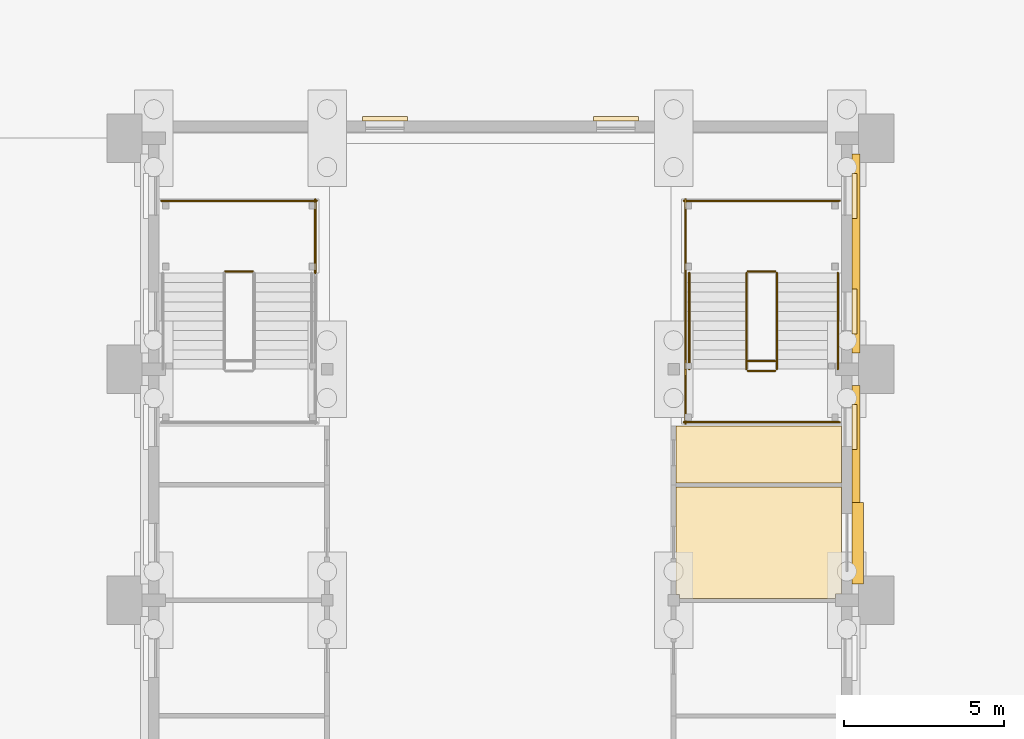
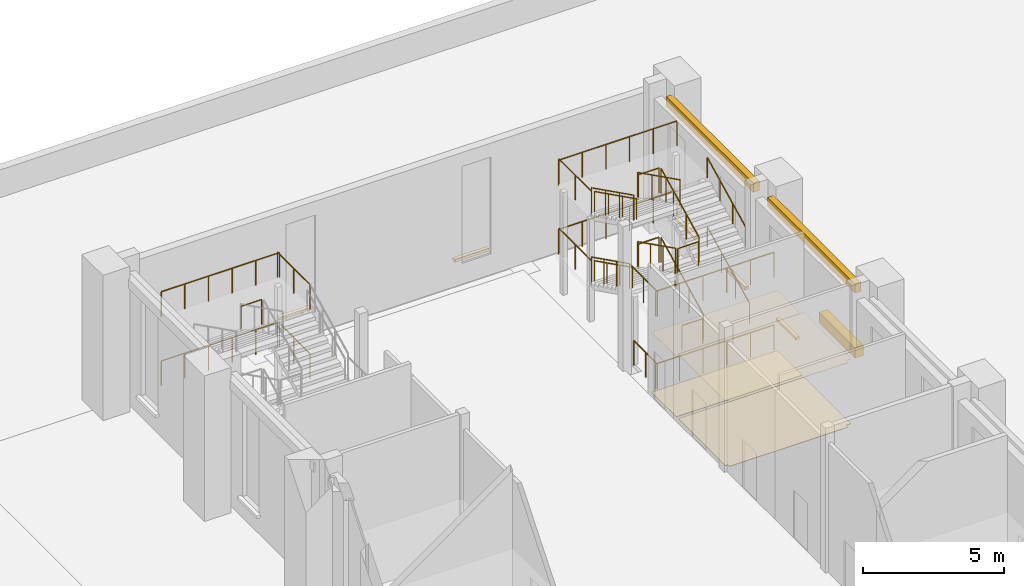
# One storey, part 72 of 84: 27 railings, 12 coverings.
"""IFC4 building model written with IfcOpenShell, lengths in metres."""

from ifc_helpers import new_model, si_unit, direction, frame, origin, origin_2d, place, context, subcontext, project, spatial, polyline, circle, outline, extrude, material, layer, layer_set, type_object, element, save


model = new_model("IFC4")

# Units and contexts
model_context = context("Model", 3, precision=1e-05, world=origin(), true_north=direction((0.0, 1.0)))
body_context = subcontext(model_context, "Body", "Model", "MODEL_VIEW")
ifc_project = project(units=[si_unit("LENGTHUNIT", "METRE"), si_unit("AREAUNIT", "SQUARE_METRE"), si_unit("VOLUMEUNIT", "CUBIC_METRE"), si_unit("PLANEANGLEUNIT", "RADIAN"), si_unit("MASSUNIT", "GRAM", prefix="KILO")], contexts=[model_context])

# Site, building, storey
site_placement = place(None, origin())
site = spatial("IfcSite", under=ifc_project, at=site_placement, CompositionType="ELEMENT")
building_placement = place(site_placement, origin())
building = spatial("IfcBuilding", under=site, at=building_placement, Name="Mazhai Court Health Centre", CompositionType="ELEMENT")
storey_placement = place(building_placement, origin())
storey = spatial("IfcBuildingStorey", under=building, at=storey_placement, Name="L00", CompositionType="ELEMENT", Elevation=0.0)

# Coverings
ifc_material_1 = material(Name="Clay brick masonry", Category="masonry")
ifc_layer_1 = layer(ifc_material_1, 0.25)
ifc_layer_set_1 = layer_set([ifc_layer_1], Name="BRICK BAND 250")
covering_type_1 = type_object("IfcCoveringType", Name="BRICK BAND 250", PredefinedType="MOLDING", material=ifc_layer_set_1)
covering_1_placement = place(storey_placement, frame((0.0, 0.0, 5.3701171875)))
element("IfcCovering", 1, at=covering_1_placement, inside=storey, type_object=covering_type_1, Name="EB-V1-L00-E4-0", PredefinedType="MOLDING", context=body_context, shape_type="SweptSolid", body=[
    extrude(outline(polyline([(63.965087890625, 48.89990234375), (63.965087890625, 42.699951171875), (64.215087890625, 42.699951171875), (64.215087890625, 48.89990234375), (63.965087890625, 48.89990234375)])), origin(), (0.0, 0.0, 1.0), 0.39990234375),
])
covering_2_placement = place(storey_placement, frame((0.0, 0.0, 5.3701171875)))
element("IfcCovering", 2, at=covering_2_placement, inside=storey, type_object=covering_type_1, Name="EB-V1-L00-E5-0", PredefinedType="MOLDING", context=body_context, shape_type="SweptSolid", body=[
    extrude(outline(polyline([(63.965087890625, 56.10009765625), (63.965087890625, 49.89990234375), (64.215087890625, 49.89990234375), (64.215087890625, 56.10009765625), (63.965087890625, 56.10009765625)])), origin(), (0.0, 0.0, 1.0), 0.39990234375),
])
ifc_material_2 = material(Name="Clay brick masonry", Category="masonry")
ifc_layer_2 = layer(ifc_material_2, 0.35009765625)
ifc_layer_set_2 = layer_set([ifc_layer_2], Name="BRICK PORTAL LINTEL 350")
covering_type_2 = type_object("IfcCoveringType", Name="BRICK PORTAL LINTEL 350", PredefinedType="MOLDING", material=ifc_layer_set_2)
covering_3_placement = place(storey_placement, frame((0.0, 0.0, 2.550048828125)))
element("IfcCovering", 3, at=covering_3_placement, inside=storey, type_object=covering_type_2, Name="EL-V1-L00-E4", PredefinedType="MOLDING", context=body_context, shape_type="SweptSolid", body=[
    extrude(outline(polyline([(63.965087890625, 45.25), (63.965087890625, 42.699951171875), (64.31494140625, 42.699951171875), (64.31494140625, 45.25), (63.965087890625, 45.25)])), origin(), (0.0, 0.0, 1.0), 0.449951171875),
])
ifc_material_3 = material(Name="Clay brick masonry", Category="masonry")
ifc_layer_3 = layer(ifc_material_3, 0.14990234375)
ifc_layer_set_3 = layer_set([ifc_layer_3], Name="BRICK SILL COURSE 150")
covering_type_3 = type_object("IfcCoveringType", Name="BRICK SILL COURSE 150", PredefinedType="MOLDING", material=ifc_layer_set_3)
covering_4_placement = place(storey_placement, frame((0.0, 0.0, 0.780029296875)))
element("IfcCovering", 4, at=covering_4_placement, inside=storey, type_object=covering_type_3, Name="ES-WN-V1-L00-E4b", PredefinedType="MOLDING", context=body_context, shape_type="SweptSolid", body=[
    extrude(outline(polyline([(63.965087890625, 48.300048828125), (63.965087890625, 46.89990234375), (64.114990234375, 46.89990234375), (64.114990234375, 48.300048828125), (63.965087890625, 48.300048828125)])), origin(), (0.0, 0.0, 1.0), 0.119873046875),
])
covering_5_placement = place(storey_placement, frame((0.0, 0.0, 0.780029296875)))
element("IfcCovering", 5, at=covering_5_placement, inside=storey, type_object=covering_type_3, Name="ES-WN-V1-L00-E5a", PredefinedType="MOLDING", context=body_context, shape_type="SweptSolid", body=[
    extrude(outline(polyline([(63.965087890625, 51.89990234375), (63.965087890625, 50.5), (64.114990234375, 50.5), (64.114990234375, 51.89990234375), (63.965087890625, 51.89990234375)])), origin(), (0.0, 0.0, 1.0), 0.119873046875),
])
covering_6_placement = place(storey_placement, frame((0.0, 0.0, 0.780029296875)))
element("IfcCovering", 6, at=covering_6_placement, inside=storey, type_object=covering_type_3, Name="ES-WN-V1-L00-E5b", PredefinedType="MOLDING", context=body_context, shape_type="SweptSolid", body=[
    extrude(outline(polyline([(63.965087890625, 55.5), (63.965087890625, 54.10009765625), (64.114990234375, 54.10009765625), (64.114990234375, 55.5), (63.965087890625, 55.5)])), origin(), (0.0, 0.0, 1.0), 0.119873046875),
])
covering_7_placement = place(storey_placement, frame((0.0, 0.0, 0.780029296875)))
element("IfcCovering", 7, at=covering_7_placement, inside=storey, type_object=covering_type_3, Name="ES-WN-V1-L00-N-3", PredefinedType="MOLDING", context=body_context, shape_type="SweptSolid", body=[
    extrude(outline(polyline([(48.699951171875, 57.1298828125), (50.10009765625, 57.1298828125), (50.10009765625, 57.280029296875), (48.699951171875, 57.280029296875), (48.699951171875, 57.1298828125)])), origin(), (0.0, 0.0, 1.0), 0.119873046875),
])
covering_8_placement = place(storey_placement, frame((0.0, 0.0, 0.780029296875)))
element("IfcCovering", 8, at=covering_8_placement, inside=storey, type_object=covering_type_3, Name="ES-WN-V1-L00-N3", PredefinedType="MOLDING", context=body_context, shape_type="SweptSolid", body=[
    extrude(outline(polyline([(55.89990234375, 57.1298828125), (57.300048828125, 57.1298828125), (57.300048828125, 57.280029296875), (55.89990234375, 57.280029296875), (55.89990234375, 57.1298828125)])), origin(), (0.0, 0.0, 1.0), 0.119873046875),
])
ifc_material_4 = material(Name="Gypsum plasterboard ceiling")
ifc_layer_4 = layer(ifc_material_4, 0.02001953125)
ifc_layer_set_4 = layer_set([ifc_layer_4], Name="CEILING GYPSUM BOARD 20")
covering_type_4 = type_object("IfcCoveringType", Name="CEILING GYPSUM BOARD 20", PredefinedType="CEILING", material=ifc_layer_set_4)
covering_9_placement = place(storey_placement, frame((0.0, 0.0, 2.800048828125)))
element("IfcCovering", 9, at=covering_9_placement, inside=storey, type_object=covering_type_4, Name="ceil-V1-L00-E-baby-care-room", PredefinedType="CEILING", context=body_context, shape_type="SweptSolid", body=[
    extrude(outline(polyline([(58.47509765625, 42.3798828125), (58.580078125, 42.3798828125), (58.580078125, 42.262451171875), (63.43994140625, 42.262451171875), (63.43994140625, 42.39990234375), (63.635009765625, 42.39990234375), (63.635009765625, 45.737548828125), (58.47509765625, 45.737548828125), (58.47509765625, 42.3798828125)])), origin(), (0.0, 0.0, 1.0), 0.02001953125),
])
covering_10_placement = place(storey_placement, frame((0.0, 0.0, 2.60009765625)))
element("IfcCovering", 10, at=covering_10_placement, inside=storey, type_object=covering_type_4, Name="ceil-V1-L00-E-wheelchair-store", PredefinedType="CEILING", context=body_context, shape_type="SweptSolid", body=[
    extrude(outline(polyline([(63.635009765625, 45.862548828125), (63.635009765625, 47.635009765625), (58.47509765625, 47.635009765625), (58.47509765625, 45.862548828125), (63.635009765625, 45.862548828125)])), origin(), (0.0, 0.0, 1.0), 0.02001953125),
])
ifc_material_5 = material(Name="Heavy duty vinyl flooring")
ifc_layer_5 = layer(ifc_material_5, 0.02001953125)
ifc_layer_set_5 = layer_set([ifc_layer_5], Name="FLOOR FINISH HEAVY DUTY VINYL FLOORING 20")
covering_type_5 = type_object("IfcCoveringType", Name="FLOOR FINISH HEAVY DUTY VINYL FLOORING 20", PredefinedType="FLOORING", material=ifc_layer_set_5)
covering_11_placement = place(storey_placement, origin())
element("IfcCovering", 11, at=covering_11_placement, inside=storey, type_object=covering_type_5, Name="floor-V1-L00-E-baby-care-room", PredefinedType="FLOORING", context=body_context, shape_type="SweptSolid", body=[
    extrude(outline(polyline([(58.47509765625, 42.3798828125), (58.580078125, 42.3798828125), (58.580078125, 42.262451171875), (63.43994140625, 42.262451171875), (63.43994140625, 42.39990234375), (63.635009765625, 42.39990234375), (63.635009765625, 45.737548828125), (58.47509765625, 45.737548828125), (58.47509765625, 42.3798828125)])), origin(), (0.0, 0.0, 1.0), 0.02001953125),
])
covering_12_placement = place(storey_placement, origin())
element("IfcCovering", 12, at=covering_12_placement, inside=storey, type_object=covering_type_5, Name="floor-V1-L00-E-wheelchair-store", PredefinedType="FLOORING", context=body_context, shape_type="SweptSolid", body=[
    extrude(outline(polyline([(63.635009765625, 45.862548828125), (63.635009765625, 47.635009765625), (58.47509765625, 47.635009765625), (58.47509765625, 45.862548828125), (63.635009765625, 45.862548828125)])), origin(), (0.0, 0.0, 1.0), 0.02001953125),
])

# Railings
ifc_material_6 = material(Name="Steel IS 2062 E250", Category="steel")
railing_type_1 = type_object("IfcRailingType", Name="STAIR GUARD 1100", PredefinedType="GUARDRAIL", material=ifc_material_6)
railing_1_placement = place(storey_placement, frame((47.232421875, 52.39990234375, 1.64990234375)))
element("IfcRailing", 13, at=railing_1_placement, inside=storey, type_object=railing_type_1, Name="L00 ST11 stair guard 4", PredefinedType="GUARDRAIL", context=body_context, shape_type="SweptSolid", body=[
    extrude(circle(Radius=0.02392578125, at=origin_2d()), frame((0.0, 0.0, 1.076171875), z_axis=(0.0, 1.0, 0.0), x_axis=(-1.0, 0.0, 0.0)), (0.0, 0.0, 1.0), 2.300048828125),
    extrude(circle(Radius=0.02099609375, at=origin_2d()), origin(), (0.0, 0.0, 1.0), 1.052001953125),
    extrude(circle(Radius=0.02099609375, at=origin_2d()), frame((0.0, 1.14990234375, 0.0)), (0.0, 0.0, 1.0), 1.052001953125),
    extrude(circle(Radius=0.02099609375, at=origin_2d()), frame((0.0, 2.300048828125, 0.0)), (0.0, 0.0, 1.0), 1.052001953125),
])
railing_2_placement = place(storey_placement, frame((47.282470703125, 54.64990234375, 1.64990234375)))
element("IfcRailing", 14, at=railing_2_placement, inside=storey, type_object=railing_type_1, Name="L00 ST11 stair guard 5", PredefinedType="GUARDRAIL", context=body_context, shape_type="SweptSolid", body=[
    extrude(circle(Radius=0.02392578125, at=origin_2d()), frame((0.0, 0.0, 1.076171875), z_axis=(-1.0, 0.0, 0.0), x_axis=(0.0, -1.0, 0.0)), (0.0, 0.0, 1.0), 4.849853515625),
    extrude(circle(Radius=0.02099609375, at=origin_2d()), origin(), (0.0, 0.0, 1.0), 1.052001953125),
    extrude(circle(Radius=0.02099609375, at=origin_2d()), frame((-0.969970703125, 0.0, 0.0)), (0.0, 0.0, 1.0), 1.052001953125),
    extrude(circle(Radius=0.02099609375, at=origin_2d()), frame((-1.93994140625, 0.0, 0.0)), (0.0, 0.0, 1.0), 1.052001953125),
    extrude(circle(Radius=0.02099609375, at=origin_2d()), frame((-2.909912109375, 0.0, 0.0)), (0.0, 0.0, 1.0), 1.052001953125),
    extrude(circle(Radius=0.02099609375, at=origin_2d()), frame((-3.8798828125, 0.0, 0.0)), (0.0, 0.0, 1.0), 1.052001953125),
    extrude(circle(Radius=0.02099609375, at=origin_2d()), frame((-4.849853515625, 0.0, 0.0)), (0.0, 0.0, 1.0), 1.052001953125),
])
railing_3_placement = place(storey_placement, frame((45.282470703125, 52.449951171875, 4.64990234375)))
element("IfcRailing", 15, at=railing_3_placement, inside=storey, type_object=railing_type_1, Name="L00 ST11 stair guard 12", PredefinedType="GUARDRAIL", context=body_context, shape_type="SweptSolid", body=[
    extrude(circle(Radius=0.02392578125, at=origin_2d()), frame((0.0, 0.0, 1.076171875), z_axis=(-1.0, 0.0, 0.0), x_axis=(0.0, -1.0, 0.0)), (0.0, 0.0, 1.0), 0.849853515625),
    extrude(circle(Radius=0.02099609375, at=origin_2d()), origin(), (0.0, 0.0, 1.0), 1.052001953125),
    extrude(circle(Radius=0.02099609375, at=origin_2d()), frame((-0.849853515625, 0.0, 0.0)), (0.0, 0.0, 1.0), 1.052001953125),
])
railing_4_placement = place(storey_placement, frame((47.232421875, 52.39990234375, 4.64990234375)))
element("IfcRailing", 16, at=railing_4_placement, inside=storey, type_object=railing_type_1, Name="L00 ST11 stair guard 13", PredefinedType="GUARDRAIL", context=body_context, shape_type="SweptSolid", body=[
    extrude(circle(Radius=0.02392578125, at=origin_2d()), frame((0.0, 0.0, 1.076171875), z_axis=(0.0, 1.0, 0.0), x_axis=(-1.0, 0.0, 0.0)), (0.0, 0.0, 1.0), 2.300048828125),
    extrude(circle(Radius=0.02099609375, at=origin_2d()), origin(), (0.0, 0.0, 1.0), 1.052001953125),
    extrude(circle(Radius=0.02099609375, at=origin_2d()), frame((0.0, 1.14990234375, 0.0)), (0.0, 0.0, 1.0), 1.052001953125),
    extrude(circle(Radius=0.02099609375, at=origin_2d()), frame((0.0, 2.300048828125, 0.0)), (0.0, 0.0, 1.0), 1.052001953125),
])
railing_5_placement = place(storey_placement, frame((47.282470703125, 54.64990234375, 4.64990234375)))
element("IfcRailing", 17, at=railing_5_placement, inside=storey, type_object=railing_type_1, Name="L00 ST11 stair guard 14", PredefinedType="GUARDRAIL", context=body_context, shape_type="SweptSolid", body=[
    extrude(circle(Radius=0.02392578125, at=origin_2d()), frame((0.0, 0.0, 1.076171875), z_axis=(-1.0, 0.0, 0.0), x_axis=(0.0, -1.0, 0.0)), (0.0, 0.0, 1.0), 4.849853515625),
    extrude(circle(Radius=0.02099609375, at=origin_2d()), origin(), (0.0, 0.0, 1.0), 1.052001953125),
    extrude(circle(Radius=0.02099609375, at=origin_2d()), frame((-0.969970703125, 0.0, 0.0)), (0.0, 0.0, 1.0), 1.052001953125),
    extrude(circle(Radius=0.02099609375, at=origin_2d()), frame((-1.93994140625, 0.0, 0.0)), (0.0, 0.0, 1.0), 1.052001953125),
    extrude(circle(Radius=0.02099609375, at=origin_2d()), frame((-2.909912109375, 0.0, 0.0)), (0.0, 0.0, 1.0), 1.052001953125),
    extrude(circle(Radius=0.02099609375, at=origin_2d()), frame((-3.8798828125, 0.0, 0.0)), (0.0, 0.0, 1.0), 1.052001953125),
    extrude(circle(Radius=0.02099609375, at=origin_2d()), frame((-4.849853515625, 0.0, 0.0)), (0.0, 0.0, 1.0), 1.052001953125),
])
railing_6_placement = place(storey_placement, frame((61.617431640625, 49.39990234375, 0.14990234375)))
element("IfcRailing", 18, at=railing_6_placement, inside=storey, type_object=railing_type_1, Name="L00 ST12 stair guard 1", PredefinedType="GUARDRAIL", context=body_context, shape_type="SweptSolid", body=[
    extrude(circle(Radius=0.02392578125, at=origin_2d()), frame((0.0, 0.0, 1.076171875), z_axis=(0.0, 0.894427191, 0.4472135955), x_axis=(-1.0, 0.0, 0.0)), (0.0, 0.0, 1.0), 3.35400390625),
    extrude(circle(Radius=0.02099609375, at=origin_2d()), origin(), (0.0, 0.0, 1.0), 1.052001953125),
    extrude(circle(Radius=0.02099609375, at=origin_2d()), frame((0.0, 1.0, 0.5)), (0.0, 0.0, 1.0), 1.052001953125),
    extrude(circle(Radius=0.02099609375, at=origin_2d()), frame((0.0, 2.0, 1.0)), (0.0, 0.0, 1.0), 1.052001953125),
    extrude(circle(Radius=0.02099609375, at=origin_2d()), frame((0.0, 3.0, 1.5)), (0.0, 0.0, 1.0), 1.052001953125),
])
railing_7_placement = place(storey_placement, frame((61.5673828125, 52.449951171875, 1.64990234375)))
element("IfcRailing", 19, at=railing_7_placement, inside=storey, type_object=railing_type_1, Name="L00 ST12 stair guard 2", PredefinedType="GUARDRAIL", context=body_context, shape_type="SweptSolid", body=[
    extrude(circle(Radius=0.02392578125, at=origin_2d()), frame((0.0, 0.0, 1.076171875), z_axis=(-1.0, 0.0, 0.0), x_axis=(0.0, -1.0, 0.0)), (0.0, 0.0, 1.0), 0.849853515625),
    extrude(circle(Radius=0.02099609375, at=origin_2d()), origin(), (0.0, 0.0, 1.0), 1.052001953125),
    extrude(circle(Radius=0.02099609375, at=origin_2d()), frame((-0.849853515625, 0.0, 0.0)), (0.0, 0.0, 1.0), 1.052001953125),
])
railing_8_placement = place(storey_placement, frame((58.767578125, 52.39990234375, 1.64990234375)))
element("IfcRailing", 20, at=railing_8_placement, inside=storey, type_object=railing_type_1, Name="L00 ST12 stair guard 3", PredefinedType="GUARDRAIL", context=body_context, shape_type="SweptSolid", body=[
    extrude(circle(Radius=0.02392578125, at=origin_2d()), frame((0.0, 0.0, 1.076171875), z_axis=(0.0, 1.0, 0.0), x_axis=(-1.0, 0.0, 0.0)), (0.0, 0.0, 1.0), 2.300048828125),
    extrude(circle(Radius=0.02099609375, at=origin_2d()), origin(), (0.0, 0.0, 1.0), 1.052001953125),
    extrude(circle(Radius=0.02099609375, at=origin_2d()), frame((0.0, 1.14990234375, 0.0)), (0.0, 0.0, 1.0), 1.052001953125),
    extrude(circle(Radius=0.02099609375, at=origin_2d()), frame((0.0, 2.300048828125, 0.0)), (0.0, 0.0, 1.0), 1.052001953125),
])
railing_9_placement = place(storey_placement, frame((63.5673828125, 54.64990234375, 1.64990234375)))
element("IfcRailing", 21, at=railing_9_placement, inside=storey, type_object=railing_type_1, Name="L00 ST12 stair guard 4", PredefinedType="GUARDRAIL", context=body_context, shape_type="SweptSolid", body=[
    extrude(circle(Radius=0.02392578125, at=origin_2d()), frame((0.0, 0.0, 1.076171875), z_axis=(-1.0, 0.0, 0.0), x_axis=(0.0, -1.0, 0.0)), (0.0, 0.0, 1.0), 4.849853515625),
    extrude(circle(Radius=0.02099609375, at=origin_2d()), origin(), (0.0, 0.0, 1.0), 1.052001953125),
    extrude(circle(Radius=0.02099609375, at=origin_2d()), frame((-0.969970703125, 0.0, 0.0)), (0.0, 0.0, 1.0), 1.052001953125),
    extrude(circle(Radius=0.02099609375, at=origin_2d()), frame((-1.93994140625, 0.0, 0.0)), (0.0, 0.0, 1.0), 1.052001953125),
    extrude(circle(Radius=0.02099609375, at=origin_2d()), frame((-2.909912109375, 0.0, 0.0)), (0.0, 0.0, 1.0), 1.052001953125),
    extrude(circle(Radius=0.02099609375, at=origin_2d()), frame((-3.8798828125, 0.0, 0.0)), (0.0, 0.0, 1.0), 1.052001953125),
    extrude(circle(Radius=0.02099609375, at=origin_2d()), frame((-4.849853515625, 0.0, 0.0)), (0.0, 0.0, 1.0), 1.052001953125),
])
for number, where, name in (
    (22, (58.767578125, 52.39990234375, 1.800048828125), "L00 ST12 stair guard 5"),
    (23, (60.66748046875, 52.39990234375, 1.800048828125), "L00 ST12 stair guard 6"),
):
    element("IfcRailing", number, at=place(storey_placement, frame(where)), inside=storey, type_object=railing_type_1, Name=name, PredefinedType="GUARDRAIL", context=body_context, shape_type="SweptSolid", body=[
        extrude(circle(Radius=0.02392578125, at=origin_2d()), frame((0.0, 0.0, 1.076171875), z_axis=(0.0, -0.89444336626, 0.447181243517), x_axis=(1.0, 0.0, 0.0)), (0.0, 0.0, 1.0), 3.0185546875),
        extrude(circle(Radius=0.02099609375, at=origin_2d()), origin(), (0.0, 0.0, 1.0), 1.052001953125),
        extrude(circle(Radius=0.02099609375, at=origin_2d()), frame((0.0, -0.89990234375, 0.449951171875)), (0.0, 0.0, 1.0), 1.052001953125),
        extrude(circle(Radius=0.02099609375, at=origin_2d()), frame((0.0, -1.800048828125, 0.89990234375)), (0.0, 0.0, 1.0), 1.052001953125),
        extrude(circle(Radius=0.02099609375, at=origin_2d()), frame((0.0, -2.699951171875, 1.349853515625)), (0.0, 0.0, 1.0), 1.052001953125),
    ])
railing_10_placement = place(storey_placement, frame((61.5673828125, 49.64990234375, 3.14990234375)))
element("IfcRailing", 24, at=railing_10_placement, inside=storey, type_object=railing_type_1, Name="L00 ST12 stair guard 7", PredefinedType="GUARDRAIL", context=body_context, shape_type="SweptSolid", body=[
    extrude(circle(Radius=0.02392578125, at=origin_2d()), frame((0.0, 0.0, 1.076171875), z_axis=(-1.0, 0.0, 0.0), x_axis=(0.0, -1.0, 0.0)), (0.0, 0.0, 1.0), 0.849853515625),
    extrude(circle(Radius=0.02099609375, at=origin_2d()), origin(), (0.0, 0.0, 1.0), 1.052001953125),
    extrude(circle(Radius=0.02099609375, at=origin_2d()), frame((-0.849853515625, 0.0, 0.0)), (0.0, 0.0, 1.0), 1.052001953125),
])
railing_11_placement = place(storey_placement, frame((58.767578125, 47.699951171875, 3.14990234375)))
element("IfcRailing", 25, at=railing_11_placement, inside=storey, type_object=railing_type_1, Name="L00 ST12 stair guard 8", PredefinedType="GUARDRAIL", context=body_context, shape_type="SweptSolid", body=[
    extrude(circle(Radius=0.02392578125, at=origin_2d()), frame((0.0, 0.0, 1.076171875), z_axis=(0.0, 1.0, 0.0), x_axis=(-1.0, 0.0, 0.0)), (0.0, 0.0, 1.0), 2.0),
    extrude(circle(Radius=0.02099609375, at=origin_2d()), origin(), (0.0, 0.0, 1.0), 1.052001953125),
    extrude(circle(Radius=0.02099609375, at=origin_2d()), frame((0.0, 1.0, 0.0)), (0.0, 0.0, 1.0), 1.052001953125),
    extrude(circle(Radius=0.02099609375, at=origin_2d()), frame((0.0, 2.0, 0.0)), (0.0, 0.0, 1.0), 1.052001953125),
])
railing_12_placement = place(storey_placement, frame((63.5673828125, 47.75, 3.14990234375)))
element("IfcRailing", 26, at=railing_12_placement, inside=storey, type_object=railing_type_1, Name="L00 ST12 stair guard 9", PredefinedType="GUARDRAIL", context=body_context, shape_type="SweptSolid", body=[
    extrude(circle(Radius=0.02392578125, at=origin_2d()), frame((0.0, 0.0, 1.076171875), z_axis=(-1.0, 0.0, 0.0), x_axis=(0.0, -1.0, 0.0)), (0.0, 0.0, 1.0), 4.849853515625),
    extrude(circle(Radius=0.02099609375, at=origin_2d()), origin(), (0.0, 0.0, 1.0), 1.052001953125),
    extrude(circle(Radius=0.02099609375, at=origin_2d()), frame((-0.969970703125, 0.0, 0.0)), (0.0, 0.0, 1.0), 1.052001953125),
    extrude(circle(Radius=0.02099609375, at=origin_2d()), frame((-1.93994140625, 0.0, 0.0)), (0.0, 0.0, 1.0), 1.052001953125),
    extrude(circle(Radius=0.02099609375, at=origin_2d()), frame((-2.909912109375, 0.0, 0.0)), (0.0, 0.0, 1.0), 1.052001953125),
    extrude(circle(Radius=0.02099609375, at=origin_2d()), frame((-3.8798828125, 0.0, 0.0)), (0.0, 0.0, 1.0), 1.052001953125),
    extrude(circle(Radius=0.02099609375, at=origin_2d()), frame((-4.849853515625, 0.0, 0.0)), (0.0, 0.0, 1.0), 1.052001953125),
])
railing_13_placement = place(storey_placement, frame((61.617431640625, 49.699951171875, 3.300048828125)))
element("IfcRailing", 27, at=railing_13_placement, inside=storey, type_object=railing_type_1, Name="L00 ST12 stair guard 10", PredefinedType="GUARDRAIL", context=body_context, shape_type="SweptSolid", body=[
    extrude(circle(Radius=0.02392578125, at=origin_2d()), frame((0.0, 0.0, 1.076171875), z_axis=(0.0, 0.89444336626, 0.447181243517), x_axis=(-1.0, 0.0, 0.0)), (0.0, 0.0, 1.0), 3.0185546875),
    extrude(circle(Radius=0.02099609375, at=origin_2d()), origin(), (0.0, 0.0, 1.0), 1.052001953125),
    extrude(circle(Radius=0.02099609375, at=origin_2d()), frame((0.0, 0.89990234375, 0.449951171875)), (0.0, 0.0, 1.0), 1.052001953125),
    extrude(circle(Radius=0.02099609375, at=origin_2d()), frame((0.0, 1.800048828125, 0.89990234375)), (0.0, 0.0, 1.0), 1.052001953125),
    extrude(circle(Radius=0.02099609375, at=origin_2d()), frame((0.0, 2.699951171875, 1.349853515625)), (0.0, 0.0, 1.0), 1.052001953125),
])
railing_14_placement = place(storey_placement, frame((61.5673828125, 52.449951171875, 4.64990234375)))
element("IfcRailing", 28, at=railing_14_placement, inside=storey, type_object=railing_type_1, Name="L00 ST12 stair guard 11", PredefinedType="GUARDRAIL", context=body_context, shape_type="SweptSolid", body=[
    extrude(circle(Radius=0.02392578125, at=origin_2d()), frame((0.0, 0.0, 1.076171875), z_axis=(-1.0, 0.0, 0.0), x_axis=(0.0, -1.0, 0.0)), (0.0, 0.0, 1.0), 0.849853515625),
    extrude(circle(Radius=0.02099609375, at=origin_2d()), origin(), (0.0, 0.0, 1.0), 1.052001953125),
    extrude(circle(Radius=0.02099609375, at=origin_2d()), frame((-0.849853515625, 0.0, 0.0)), (0.0, 0.0, 1.0), 1.052001953125),
])
railing_15_placement = place(storey_placement, frame((58.767578125, 52.39990234375, 4.64990234375)))
element("IfcRailing", 29, at=railing_15_placement, inside=storey, type_object=railing_type_1, Name="L00 ST12 stair guard 12", PredefinedType="GUARDRAIL", context=body_context, shape_type="SweptSolid", body=[
    extrude(circle(Radius=0.02392578125, at=origin_2d()), frame((0.0, 0.0, 1.076171875), z_axis=(0.0, 1.0, 0.0), x_axis=(-1.0, 0.0, 0.0)), (0.0, 0.0, 1.0), 2.300048828125),
    extrude(circle(Radius=0.02099609375, at=origin_2d()), origin(), (0.0, 0.0, 1.0), 1.052001953125),
    extrude(circle(Radius=0.02099609375, at=origin_2d()), frame((0.0, 1.14990234375, 0.0)), (0.0, 0.0, 1.0), 1.052001953125),
    extrude(circle(Radius=0.02099609375, at=origin_2d()), frame((0.0, 2.300048828125, 0.0)), (0.0, 0.0, 1.0), 1.052001953125),
])
railing_16_placement = place(storey_placement, frame((63.5673828125, 54.64990234375, 4.64990234375)))
element("IfcRailing", 30, at=railing_16_placement, inside=storey, type_object=railing_type_1, Name="L00 ST12 stair guard 13", PredefinedType="GUARDRAIL", context=body_context, shape_type="SweptSolid", body=[
    extrude(circle(Radius=0.02392578125, at=origin_2d()), frame((0.0, 0.0, 1.076171875), z_axis=(-1.0, 0.0, 0.0), x_axis=(0.0, -1.0, 0.0)), (0.0, 0.0, 1.0), 4.849853515625),
    extrude(circle(Radius=0.02099609375, at=origin_2d()), origin(), (0.0, 0.0, 1.0), 1.052001953125),
    extrude(circle(Radius=0.02099609375, at=origin_2d()), frame((-0.969970703125, 0.0, 0.0)), (0.0, 0.0, 1.0), 1.052001953125),
    extrude(circle(Radius=0.02099609375, at=origin_2d()), frame((-1.93994140625, 0.0, 0.0)), (0.0, 0.0, 1.0), 1.052001953125),
    extrude(circle(Radius=0.02099609375, at=origin_2d()), frame((-2.909912109375, 0.0, 0.0)), (0.0, 0.0, 1.0), 1.052001953125),
    extrude(circle(Radius=0.02099609375, at=origin_2d()), frame((-3.8798828125, 0.0, 0.0)), (0.0, 0.0, 1.0), 1.052001953125),
    extrude(circle(Radius=0.02099609375, at=origin_2d()), frame((-4.849853515625, 0.0, 0.0)), (0.0, 0.0, 1.0), 1.052001953125),
])
for number, where, name in (
    (31, (58.767578125, 52.39990234375, 4.800048828125), "L00 ST12 stair guard 14"),
    (32, (60.66748046875, 52.39990234375, 4.800048828125), "L00 ST12 stair guard 15"),
):
    element("IfcRailing", number, at=place(storey_placement, frame(where)), inside=storey, type_object=railing_type_1, Name=name, PredefinedType="GUARDRAIL", context=body_context, shape_type="SweptSolid", body=[
        extrude(circle(Radius=0.02392578125, at=origin_2d()), frame((0.0, 0.0, 1.076171875), z_axis=(0.0, -0.894427191, 0.4472135955), x_axis=(1.0, 0.0, 0.0)), (0.0, 0.0, 1.0), 3.35400390625),
        extrude(circle(Radius=0.02099609375, at=origin_2d()), origin(), (0.0, 0.0, 1.0), 1.052001953125),
        extrude(circle(Radius=0.02099609375, at=origin_2d()), frame((0.0, -1.0, 0.5)), (0.0, 0.0, 1.0), 1.052001953125),
        extrude(circle(Radius=0.02099609375, at=origin_2d()), frame((0.0, -2.0, 1.0)), (0.0, 0.0, 1.0), 1.052001953125),
        extrude(circle(Radius=0.02099609375, at=origin_2d()), frame((0.0, -3.0, 1.5)), (0.0, 0.0, 1.0), 1.052001953125),
    ])
railing_17_placement = place(storey_placement, frame((61.5673828125, 49.35009765625, 0.0)))
element("IfcRailing", 33, at=railing_17_placement, inside=storey, type_object=railing_type_1, Name="L00 ST12 stair guard 16", PredefinedType="GUARDRAIL", context=body_context, shape_type="SweptSolid", body=[
    extrude(circle(Radius=0.02392578125, at=origin_2d()), frame((0.0, 0.0, 1.076171875), z_axis=(-1.0, 0.0, 0.0), x_axis=(0.0, -1.0, 0.0)), (0.0, 0.0, 1.0), 0.849853515625),
    extrude(circle(Radius=0.02099609375, at=origin_2d()), origin(), (0.0, 0.0, 1.0), 1.052001953125),
    extrude(circle(Radius=0.02099609375, at=origin_2d()), frame((-0.849853515625, 0.0, 0.0)), (0.0, 0.0, 1.0), 1.052001953125),
])
railing_18_placement = place(storey_placement, frame((58.767578125, 47.699951171875, 0.0)))
element("IfcRailing", 34, at=railing_18_placement, inside=storey, type_object=railing_type_1, Name="L00 ST12 stair guard 17", PredefinedType="GUARDRAIL", context=body_context, shape_type="SweptSolid", body=[
    extrude(circle(Radius=0.02392578125, at=origin_2d()), frame((0.0, 0.0, 1.076171875), z_axis=(0.0, 1.0, 0.0), x_axis=(-1.0, 0.0, 0.0)), (0.0, 0.0, 1.0), 1.699951171875),
    extrude(circle(Radius=0.02099609375, at=origin_2d()), origin(), (0.0, 0.0, 1.0), 1.052001953125),
    extrude(circle(Radius=0.02099609375, at=origin_2d()), frame((0.0, 0.85009765625, 0.0)), (0.0, 0.0, 1.0), 1.052001953125),
    extrude(circle(Radius=0.02099609375, at=origin_2d()), frame((0.0, 1.699951171875, 0.0)), (0.0, 0.0, 1.0), 1.052001953125),
])
railing_19_placement = place(storey_placement, frame((63.5673828125, 47.75, 0.0)))
element("IfcRailing", 35, at=railing_19_placement, inside=storey, type_object=railing_type_1, Name="L00 ST12 stair guard 18", PredefinedType="GUARDRAIL", context=body_context, shape_type="SweptSolid", body=[
    extrude(circle(Radius=0.02392578125, at=origin_2d()), frame((0.0, 0.0, 1.076171875), z_axis=(-1.0, 0.0, 0.0), x_axis=(0.0, -1.0, 0.0)), (0.0, 0.0, 1.0), 4.849853515625),
    extrude(circle(Radius=0.02099609375, at=origin_2d()), origin(), (0.0, 0.0, 1.0), 1.052001953125),
    extrude(circle(Radius=0.02099609375, at=origin_2d()), frame((-0.969970703125, 0.0, 0.0)), (0.0, 0.0, 1.0), 1.052001953125),
    extrude(circle(Radius=0.02099609375, at=origin_2d()), frame((-1.93994140625, 0.0, 0.0)), (0.0, 0.0, 1.0), 1.052001953125),
    extrude(circle(Radius=0.02099609375, at=origin_2d()), frame((-2.909912109375, 0.0, 0.0)), (0.0, 0.0, 1.0), 1.052001953125),
    extrude(circle(Radius=0.02099609375, at=origin_2d()), frame((-3.8798828125, 0.0, 0.0)), (0.0, 0.0, 1.0), 1.052001953125),
    extrude(circle(Radius=0.02099609375, at=origin_2d()), frame((-4.849853515625, 0.0, 0.0)), (0.0, 0.0, 1.0), 1.052001953125),
])
ifc_material_7 = material(Name="Steel IS 2062 E250", Category="steel")
railing_type_2 = type_object("IfcRailingType", Name="STAIR HANDRAIL 900", PredefinedType="HANDRAIL", material=ifc_material_7)
railing_20_placement = place(storey_placement, frame((63.517578125, 49.39990234375, 0.14990234375)))
element("IfcRailing", 36, at=railing_20_placement, inside=storey, type_object=railing_type_2, Name="L00 ST12 stair handrail 1", PredefinedType="HANDRAIL", context=body_context, shape_type="SweptSolid", body=[
    extrude(circle(Radius=0.02392578125, at=origin_2d()), frame((0.0, 0.0, 0.8759765625), z_axis=(0.0, 0.894427191, 0.4472135955), x_axis=(-1.0, 0.0, 0.0)), (0.0, 0.0, 1.0), 3.35400390625),
    extrude(circle(Radius=0.02099609375, at=origin_2d()), origin(), (0.0, 0.0, 1.0), 0.851806640625),
    extrude(circle(Radius=0.02099609375, at=origin_2d()), frame((0.0, 1.0, 0.5)), (0.0, 0.0, 1.0), 0.851806640625),
    extrude(circle(Radius=0.02099609375, at=origin_2d()), frame((0.0, 2.0, 1.0)), (0.0, 0.0, 1.0), 0.851806640625),
    extrude(circle(Radius=0.02099609375, at=origin_2d()), frame((0.0, 3.0, 1.5)), (0.0, 0.0, 1.0), 0.851806640625),
])
railing_21_placement = place(storey_placement, frame((58.887451171875, 52.39990234375, 1.800048828125)))
element("IfcRailing", 37, at=railing_21_placement, inside=storey, type_object=railing_type_2, Name="L00 ST12 stair handrail 2", PredefinedType="HANDRAIL", context=body_context, shape_type="SweptSolid", body=[
    extrude(circle(Radius=0.02392578125, at=origin_2d()), frame((0.0, 0.0, 0.8759765625), z_axis=(0.0, -0.89444336626, 0.447181243517), x_axis=(1.0, 0.0, 0.0)), (0.0, 0.0, 1.0), 3.0185546875),
    extrude(circle(Radius=0.02099609375, at=origin_2d()), origin(), (0.0, 0.0, 1.0), 0.851806640625),
    extrude(circle(Radius=0.02099609375, at=origin_2d()), frame((0.0, -0.89990234375, 0.449951171875)), (0.0, 0.0, 1.0), 0.851806640625),
    extrude(circle(Radius=0.02099609375, at=origin_2d()), frame((0.0, -1.800048828125, 0.89990234375)), (0.0, 0.0, 1.0), 0.851806640625),
    extrude(circle(Radius=0.02099609375, at=origin_2d()), frame((0.0, -2.699951171875, 1.349853515625)), (0.0, 0.0, 1.0), 0.851806640625),
])
railing_22_placement = place(storey_placement, frame((63.517578125, 49.699951171875, 3.300048828125)))
element("IfcRailing", 38, at=railing_22_placement, inside=storey, type_object=railing_type_2, Name="L00 ST12 stair handrail 3", PredefinedType="HANDRAIL", context=body_context, shape_type="SweptSolid", body=[
    extrude(circle(Radius=0.02392578125, at=origin_2d()), frame((0.0, 0.0, 0.8759765625), z_axis=(0.0, 0.89444336626, 0.447181243517), x_axis=(-1.0, 0.0, 0.0)), (0.0, 0.0, 1.0), 3.0185546875),
    extrude(circle(Radius=0.02099609375, at=origin_2d()), origin(), (0.0, 0.0, 1.0), 0.851806640625),
    extrude(circle(Radius=0.02099609375, at=origin_2d()), frame((0.0, 0.89990234375, 0.449951171875)), (0.0, 0.0, 1.0), 0.851806640625),
    extrude(circle(Radius=0.02099609375, at=origin_2d()), frame((0.0, 1.800048828125, 0.89990234375)), (0.0, 0.0, 1.0), 0.851806640625),
    extrude(circle(Radius=0.02099609375, at=origin_2d()), frame((0.0, 2.699951171875, 1.349853515625)), (0.0, 0.0, 1.0), 0.851806640625),
])
railing_23_placement = place(storey_placement, frame((58.887451171875, 52.39990234375, 4.800048828125)))
element("IfcRailing", 39, at=railing_23_placement, inside=storey, type_object=railing_type_2, Name="L00 ST12 stair handrail 4", PredefinedType="HANDRAIL", context=body_context, shape_type="SweptSolid", body=[
    extrude(circle(Radius=0.02392578125, at=origin_2d()), frame((0.0, 0.0, 0.8759765625), z_axis=(0.0, -0.894427191, 0.4472135955), x_axis=(1.0, 0.0, 0.0)), (0.0, 0.0, 1.0), 3.35400390625),
    extrude(circle(Radius=0.02099609375, at=origin_2d()), origin(), (0.0, 0.0, 1.0), 0.851806640625),
    extrude(circle(Radius=0.02099609375, at=origin_2d()), frame((0.0, -1.0, 0.5)), (0.0, 0.0, 1.0), 0.851806640625),
    extrude(circle(Radius=0.02099609375, at=origin_2d()), frame((0.0, -2.0, 1.0)), (0.0, 0.0, 1.0), 0.851806640625),
    extrude(circle(Radius=0.02099609375, at=origin_2d()), frame((0.0, -3.0, 1.5)), (0.0, 0.0, 1.0), 0.851806640625),
])

save(model, "model.ifc")
